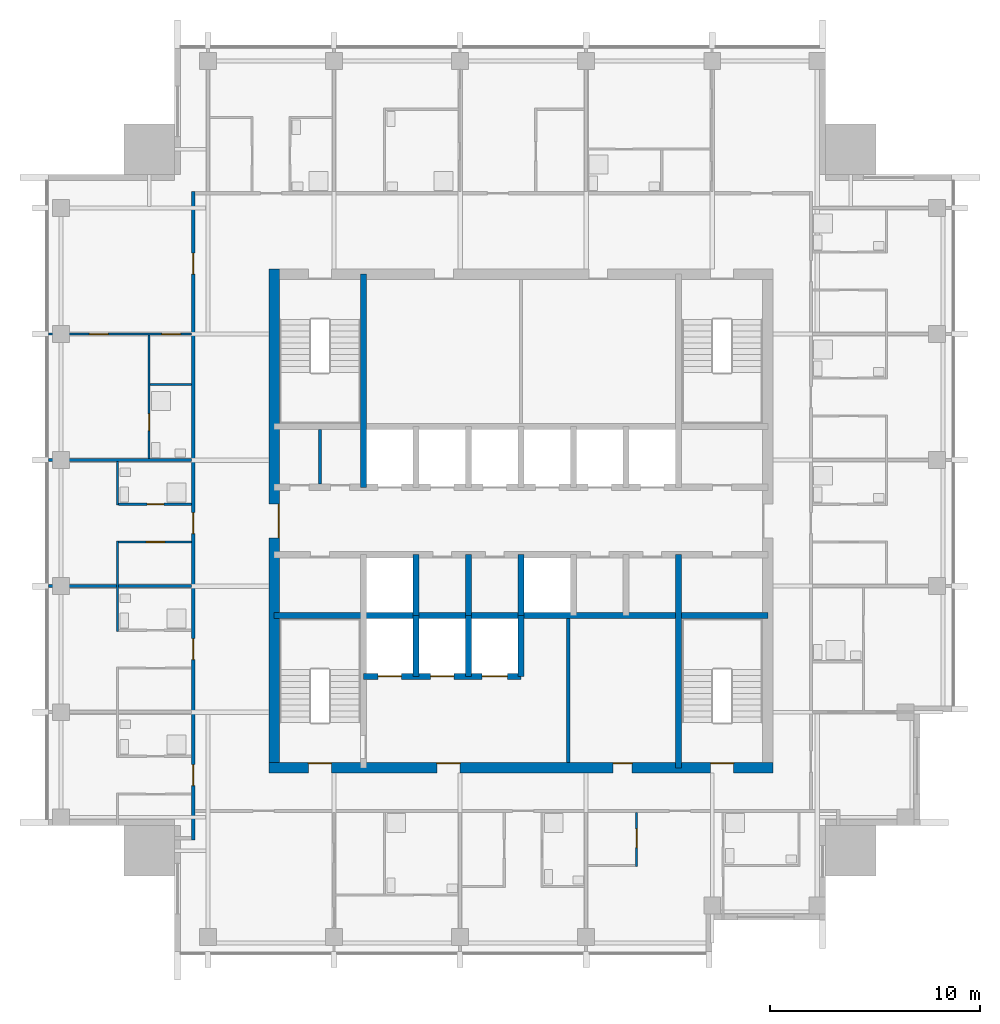
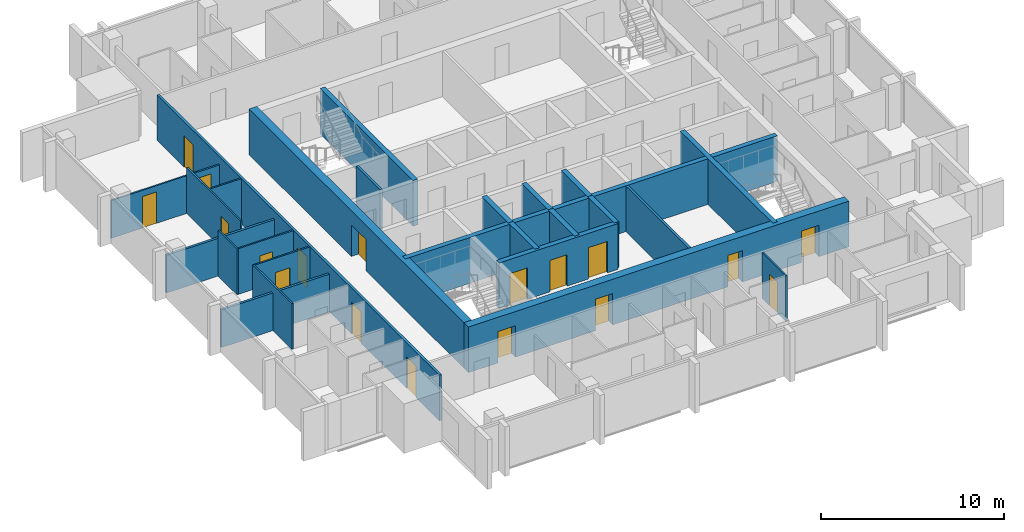
# One storey, part 4 of 9: 25 walls, 18 doors, 18 openings.
"""IFC4 building model written with IfcOpenShell, lengths in metres."""

from ifc_helpers import new_model, si_unit, direction, frame, frame_2d, origin, place, context, subcontext, project, spatial, rectangle, extrude, material, layer, layer_set, type_object, element, fill, save


model = new_model("IFC4")

# Units and contexts
model_context = context("Model", 3, precision=1e-05, world=origin(), true_north=direction((0.0, 1.0)))
body_context = subcontext(model_context, "Body", "Model", "MODEL_VIEW")
ifc_project = project(units=[si_unit("LENGTHUNIT", "METRE"), si_unit("AREAUNIT", "SQUARE_METRE"), si_unit("VOLUMEUNIT", "CUBIC_METRE"), si_unit("PLANEANGLEUNIT", "RADIAN"), si_unit("MASSUNIT", "GRAM", prefix="KILO")], contexts=[model_context])

# Site, building, storey
site_placement = place(None, origin())
site = spatial("IfcSite", under=ifc_project, at=site_placement, CompositionType="ELEMENT")
building_placement = place(site_placement, origin())
building = spatial("IfcBuilding", under=site, at=building_placement, Name="Amberfall Residences", CompositionType="ELEMENT")
storey_placement = place(building_placement, frame((0.0, 0.0, 242.199951171875)))
storey = spatial("IfcBuildingStorey", under=building, at=storey_placement, Name="L64", CompositionType="ELEMENT", Elevation=242.199951171875)

# Walls
ifc_material_1 = material(Name="Concrete C50", Category="concrete")
ifc_layer_1 = layer(ifc_material_1, 0.300048828125)
ifc_layer_set_1 = layer_set([ifc_layer_1], Name="Core wall 300 C50")
wall_type_1 = type_object("IfcWallType", Name="Core wall 300 C50", PredefinedType="SHEAR", material=ifc_layer_set_1)
wall_1_placement = place(storey_placement, frame((62.75, 41.0, 0.0), z_axis=(0.0, 0.0, 1.0), x_axis=(1.0, 0.0, 0.0)))
element("IfcWall", 1, at=wall_1_placement, inside=storey, type_object=wall_type_1, Name="Core wall RW10 L64 H75", PredefinedType="SHEAR", context=body_context, shape_type="SweptSolid", body=[
    extrude(rectangle(XDim=23.5, YDim=0.300048828125, at=frame_2d((11.75, 0.0))), origin(), (0.0, 0.0, 1.0), 3.050048828125),
])
for number, where, z_axis, x_axis, name in (
    (2, (67.0, 47.10009765625, 0.0), (0.0, 0.0, 1.0), (0.0, 1.0, 0.0), "Core wall RW10 L64 V45N"),
    (3, (82.0, 33.75, 0.0), (0.0, 0.0, 1.0), (0.0, 1.0, 0.0), "Core wall RW10 L64 V195S"),
):
    element("IfcWall", number, at=place(storey_placement, frame(where, z_axis=z_axis, x_axis=x_axis)), inside=storey, type_object=wall_type_1, Name=name, PredefinedType="SHEAR", context=body_context, shape_type="SweptSolid", body=[
        extrude(rectangle(XDim=10.14990234375, YDim=0.300048828125, at=frame_2d((5.074951171875, 0.0))), origin(), (0.0, 0.0, 1.0), 3.050048828125),
    ])
for number, where, z_axis, x_axis, name in (
    (4, (69.5, 41.0, 0.0), (0.0, 0.0, 1.0), (0.0, 1.0, 0.0), "Core wall RW10 L64 LPD1"),
    (5, (72.0, 41.0, 0.0), (0.0, 0.0, 1.0), (0.0, 1.0, 0.0), "Core wall RW10 L64 LPD2"),
    (6, (74.5, 41.0, 0.0), (0.0, 0.0, 1.0), (0.0, 1.0, 0.0), "Core wall RW10 L64 LPD3"),
):
    element("IfcWall", number, at=place(storey_placement, frame(where, z_axis=z_axis, x_axis=x_axis)), inside=storey, type_object=wall_type_1, Name=name, PredefinedType="SHEAR", context=body_context, shape_type="SweptSolid", body=[
        extrude(rectangle(XDim=2.89990234375, YDim=0.300048828125, at=frame_2d((1.449951171875, 0.0))), origin(), (0.0, 0.0, 1.0), 3.050048828125),
    ])

# Wall, openings, doors
wall_2_placement = place(storey_placement, frame((67.0, 38.10009765625, 0.0), z_axis=(0.0, 0.0, 1.0), x_axis=(1.0, 0.0, 0.0)))
wall_2 = element("IfcWall", 7, at=wall_2_placement, inside=storey, type_object=wall_type_1, Name="Core wall RW10 L64 FFF", PredefinedType="SHEAR", context=body_context, shape_type="SweptSolid", body=[
    extrude(rectangle(XDim=7.5, YDim=0.300048828125, at=frame_2d((3.75, 0.0))), origin(), (0.0, 0.0, 1.0), 3.050048828125),
])
opening_1_placement = place(wall_2_placement, frame((0.699951171875, 0.0, 0.0)))
opening_1 = element("IfcOpeningElement", 8, at=opening_1_placement, cuts=wall_2, Name="Opening LD2", PredefinedType="OPENING", context=body_context, shape_type="SweptSolid", body=[
    extrude(rectangle(XDim=1.10009765625, YDim=2.10009765625, at=frame_2d((0.550048828125, 1.050048828125))), frame((0.0, 0.159912109375, 0.0), z_axis=(0.0, -1.0, 0.0), x_axis=(1.0, 0.0, 0.0)), (0.0, 0.0, 1.0), 0.320068359375),
])
opening_2_placement = place(wall_2_placement, frame((3.199951171875, 0.0, 0.0)))
opening_2 = element("IfcOpeningElement", 9, at=opening_2_placement, cuts=wall_2, Name="Opening LD2", PredefinedType="OPENING", context=body_context, shape_type="SweptSolid", body=[
    extrude(rectangle(XDim=1.10009765625, YDim=2.10009765625, at=frame_2d((0.550048828125, 1.050048828125))), frame((0.0, 0.159912109375, 0.0), z_axis=(0.0, -1.0, 0.0), x_axis=(1.0, 0.0, 0.0)), (0.0, 0.0, 1.0), 0.320068359375),
])
opening_3_placement = place(wall_2_placement, frame((5.64990234375, 0.0, 0.0)))
opening_3 = element("IfcOpeningElement", 10, at=opening_3_placement, cuts=wall_2, Name="Opening LD3", PredefinedType="OPENING", context=body_context, shape_type="SweptSolid", body=[
    extrude(rectangle(XDim=1.199951171875, YDim=2.10009765625, at=frame_2d((0.60009765625, 1.050048828125))), frame((0.0, 0.159912109375, 0.0), z_axis=(0.0, -1.0, 0.0), x_axis=(1.0, 0.0, 0.0)), (0.0, 0.0, 1.0), 0.320068359375),
])
ifc_material_2 = material(Name="Steel fire door set", Category="steel")
door_type_1 = type_object("IfcDoorType", Name="Firefighting lift landing door 1100 x 2100", OperationType="DOUBLE_DOOR_SLIDING", PredefinedType="DOOR", material=ifc_material_2)
door_1_placement = place(opening_1_placement, origin())
door_1 = element("IfcDoor", 11, at=door_1_placement, inside=storey, type_object=door_type_1, Name="Landing door FF1 L64", OperationType="DOUBLE_DOOR_SLIDING", OverallHeight=2.10009765625, OverallWidth=1.10009765625, PredefinedType="DOOR", context=body_context, shape_type="SweptSolid", body=[
    extrude(rectangle(XDim=1.10009765625, YDim=2.10009765625, at=frame_2d((0.550048828125, 1.050048828125))), frame((0.0, 0.02490234375, 0.0), z_axis=(0.0, -1.0, 0.0), x_axis=(1.0, 0.0, 0.0)), (0.0, 0.0, 1.0), 0.050048828125),
])
fill(opening_1, door_1)
door_2_placement = place(opening_2_placement, origin())
door_2 = element("IfcDoor", 12, at=door_2_placement, inside=storey, type_object=door_type_1, Name="Landing door FF2 L64", OperationType="DOUBLE_DOOR_SLIDING", OverallHeight=2.10009765625, OverallWidth=1.10009765625, PredefinedType="DOOR", context=body_context, shape_type="SweptSolid", body=[
    extrude(rectangle(XDim=1.10009765625, YDim=2.10009765625, at=frame_2d((0.550048828125, 1.050048828125))), frame((0.0, 0.02490234375, 0.0), z_axis=(0.0, -1.0, 0.0), x_axis=(1.0, 0.0, 0.0)), (0.0, 0.0, 1.0), 0.050048828125),
])
fill(opening_2, door_2)
door_type_2 = type_object("IfcDoorType", Name="Service lift landing door 1200 x 2100", OperationType="DOUBLE_DOOR_SLIDING", PredefinedType="DOOR", material=ifc_material_2)
door_3_placement = place(opening_3_placement, origin())
door_3 = element("IfcDoor", 13, at=door_3_placement, inside=storey, type_object=door_type_2, Name="Landing door SL1 L64", OperationType="DOUBLE_DOOR_SLIDING", OverallHeight=2.10009765625, OverallWidth=1.199951171875, PredefinedType="DOOR", context=body_context, shape_type="SweptSolid", body=[
    extrude(rectangle(XDim=1.199951171875, YDim=2.10009765625, at=frame_2d((0.60009765625, 1.050048828125))), frame((0.0, 0.02490234375, 0.0), z_axis=(0.0, -1.0, 0.0), x_axis=(1.0, 0.0, 0.0)), (0.0, 0.0, 1.0), 0.050048828125),
])
fill(opening_3, door_3)

# Walls
for number, where, z_axis, x_axis, name in (
    (14, (69.5, 38.10009765625, 0.0), (0.0, 0.0, 1.0), (0.0, 1.0, 0.0), "Core wall RW10 L64 FFD1"),
    (15, (72.0, 38.10009765625, 0.0), (0.0, 0.0, 1.0), (0.0, 1.0, 0.0), "Core wall RW10 L64 FFD2"),
    (16, (74.5, 38.10009765625, 0.0), (0.0, 0.0, 1.0), (0.0, 1.0, 0.0), "Core wall RW10 L64 FFD3"),
):
    element("IfcWall", number, at=place(storey_placement, frame(where, z_axis=z_axis, x_axis=x_axis)), inside=storey, type_object=wall_type_1, Name=name, PredefinedType="SHEAR", context=body_context, shape_type="SweptSolid", body=[
        extrude(rectangle(XDim=2.89990234375, YDim=0.300048828125, at=frame_2d((1.449951171875, 0.0))), origin(), (0.0, 0.0, 1.0), 3.050048828125),
    ])

# Wall, openings, doors
ifc_layer_2 = layer(ifc_material_1, 0.5)
ifc_layer_set_2 = layer_set([ifc_layer_2], Name="Core wall 500 C50")
wall_type_2 = type_object("IfcWallType", Name="Core wall 500 C50", PredefinedType="SHEAR", material=ifc_layer_set_2)
wall_3_placement = place(storey_placement, frame((62.5, 33.75, 0.0), z_axis=(0.0, 0.0, 1.0), x_axis=(1.0, 0.0, 0.0)))
wall_3 = element("IfcWall", 17, at=wall_3_placement, inside=storey, type_object=wall_type_2, Name="Core wall RW9 L64 OS", PredefinedType="SHEAR", context=body_context, shape_type="SweptSolid", body=[
    extrude(rectangle(XDim=24.0, YDim=0.5, at=frame_2d((12.0, 0.0))), origin(), (0.0, 0.0, 1.0), 3.050048828125),
])
opening_4_placement = place(wall_3_placement, frame((1.875, 0.0, 0.0)))
opening_4 = element("IfcOpeningElement", 18, at=opening_4_placement, cuts=wall_3, Name="Opening SD1", PredefinedType="OPENING", context=body_context, shape_type="SweptSolid", body=[
    extrude(rectangle(XDim=1.10009765625, YDim=2.10009765625, at=frame_2d((0.550048828125, 1.050048828125))), frame((0.0, 0.260009765625, 0.0), z_axis=(0.0, -1.0, 0.0), x_axis=(1.0, 0.0, 0.0)), (0.0, 0.0, 1.0), 0.52001953125),
])
opening_5_placement = place(wall_3_placement, frame((21.02490234375, 0.0, 0.0)))
opening_5 = element("IfcOpeningElement", 19, at=opening_5_placement, cuts=wall_3, Name="Opening SD1", PredefinedType="OPENING", context=body_context, shape_type="SweptSolid", body=[
    extrude(rectangle(XDim=1.10009765625, YDim=2.10009765625, at=frame_2d((0.550048828125, 1.050048828125))), frame((0.0, 0.260009765625, 0.0), z_axis=(0.0, -1.0, 0.0), x_axis=(1.0, 0.0, 0.0)), (0.0, 0.0, 1.0), 0.52001953125),
])
opening_6_placement = place(wall_3_placement, frame((8.0, 0.0, 0.0)))
opening_6 = element("IfcOpeningElement", 20, at=opening_6_placement, cuts=wall_3, Name="Opening FL1", PredefinedType="OPENING", context=body_context, shape_type="SweptSolid", body=[
    extrude(rectangle(XDim=1.10009765625, YDim=2.10009765625, at=frame_2d((0.550048828125, 1.050048828125))), frame((0.0, 0.260009765625, 0.0), z_axis=(0.0, -1.0, 0.0), x_axis=(1.0, 0.0, 0.0)), (0.0, 0.0, 1.0), 0.52001953125),
])
opening_7_placement = place(wall_3_placement, frame((16.387451171875, 0.0, 0.0)))
opening_7 = element("IfcOpeningElement", 21, at=opening_7_placement, cuts=wall_3, Name="Opening RD1", PredefinedType="OPENING", context=body_context, shape_type="SweptSolid", body=[
    extrude(rectangle(XDim=0.89990234375, YDim=2.10009765625, at=frame_2d((0.449951171875, 1.050048828125))), frame((0.0, 0.260009765625, 0.0), z_axis=(0.0, -1.0, 0.0), x_axis=(1.0, 0.0, 0.0)), (0.0, 0.0, 1.0), 0.52001953125),
])
door_type_3 = type_object("IfcDoorType", Name="Firefighting lobby door 1100 x 2100", OperationType="SINGLE_SWING_LEFT", PredefinedType="DOOR", material=ifc_material_2)
door_4_placement = place(opening_6_placement, origin())
door_4 = element("IfcDoor", 22, at=door_4_placement, inside=storey, type_object=door_type_3, Name="FL1 L64", OperationType="SINGLE_SWING_LEFT", OverallHeight=2.10009765625, OverallWidth=1.10009765625, PredefinedType="DOOR", context=body_context, shape_type="SweptSolid", body=[
    extrude(rectangle(XDim=1.10009765625, YDim=2.10009765625, at=frame_2d((0.550048828125, 1.050048828125))), frame((0.0, 0.2373046875, 0.0), z_axis=(0.0, -1.0, 0.0), x_axis=(1.0, 0.0, 0.0)), (0.0, 0.0, 1.0), 0.050048828125),
])
fill(opening_6, door_4)
door_type_4 = type_object("IfcDoorType", Name="Service room door 900 x 2100", OperationType="SINGLE_SWING_LEFT", PredefinedType="DOOR", material=ifc_material_2)
door_5_placement = place(opening_7_placement, origin())
door_5 = element("IfcDoor", 23, at=door_5_placement, inside=storey, type_object=door_type_4, Name="RD1 L64", OperationType="SINGLE_SWING_LEFT", OverallHeight=2.10009765625, OverallWidth=0.89990234375, PredefinedType="DOOR", context=body_context, shape_type="SweptSolid", body=[
    extrude(rectangle(XDim=0.89990234375, YDim=2.10009765625, at=frame_2d((0.449951171875, 1.050048828125))), frame((0.0, 0.2373046875, 0.0), z_axis=(0.0, -1.0, 0.0), x_axis=(1.0, 0.0, 0.0)), (0.0, 0.0, 1.0), 0.050048828125),
])
fill(opening_7, door_5)
door_type_5 = type_object("IfcDoorType", Name="Stair door 1100 x 2100", OperationType="SINGLE_SWING_LEFT", PredefinedType="DOOR", material=ifc_material_2)
door_6_placement = place(opening_4_placement, origin())
door_6 = element("IfcDoor", 24, at=door_6_placement, inside=storey, type_object=door_type_5, Name="SD1 L64", OperationType="SINGLE_SWING_LEFT", OverallHeight=2.10009765625, OverallWidth=1.10009765625, PredefinedType="DOOR", context=body_context, shape_type="SweptSolid", body=[
    extrude(rectangle(XDim=1.10009765625, YDim=2.10009765625, at=frame_2d((0.550048828125, 1.050048828125))), frame((0.0, 0.2373046875, 0.0), z_axis=(0.0, -1.0, 0.0), x_axis=(1.0, 0.0, 0.0)), (0.0, 0.0, 1.0), 0.050048828125),
])
fill(opening_4, door_6)
door_7_placement = place(opening_5_placement, origin())
door_7 = element("IfcDoor", 25, at=door_7_placement, inside=storey, type_object=door_type_5, Name="SD1 L64", OperationType="SINGLE_SWING_RIGHT", OverallHeight=2.10009765625, OverallWidth=1.10009765625, PredefinedType="DOOR", context=body_context, shape_type="SweptSolid", body=[
    extrude(rectangle(XDim=1.10009765625, YDim=2.10009765625, at=frame_2d((0.550048828125, 1.050048828125))), frame((0.0, 0.2373046875, 0.0), z_axis=(0.0, -1.0, 0.0), x_axis=(1.0, 0.0, 0.0)), (0.0, 0.0, 1.0), 0.050048828125),
])
fill(opening_5, door_7)

# Wall, opening, door
wall_4_placement = place(storey_placement, frame((62.75, 33.5, 0.0), z_axis=(0.0, 0.0, 1.0), x_axis=(0.0, 1.0, 0.0)))
wall_4 = element("IfcWall", 26, at=wall_4_placement, inside=storey, type_object=wall_type_2, Name="Core wall RW9 L64 OW", PredefinedType="SHEAR", context=body_context, shape_type="SweptSolid", body=[
    extrude(rectangle(XDim=24.0, YDim=0.5, at=frame_2d((12.0, 0.0))), origin(), (0.0, 0.0, 1.0), 3.050048828125),
])
opening_8_placement = place(wall_4_placement, frame((11.199951171875, 0.0, 0.0)))
opening_8 = element("IfcOpeningElement", 27, at=opening_8_placement, cuts=wall_4, Name="Opening LB1", PredefinedType="OPENING", context=body_context, shape_type="SweptSolid", body=[
    extrude(rectangle(XDim=1.60009765625, YDim=2.10009765625, at=frame_2d((0.800048828125, 1.050048828125))), frame((0.0, 0.260009765625, 0.0), z_axis=(0.0, -1.0, 0.0), x_axis=(1.0, 0.0, 0.0)), (0.0, 0.0, 1.0), 0.52001953125),
])
door_type_6 = type_object("IfcDoorType", Name="Lift lobby double door 1600 x 2100", OperationType="DOUBLE_DOOR_SINGLE_SWING", PredefinedType="DOOR", material=ifc_material_2)
door_8_placement = place(opening_8_placement, origin())
door_8 = element("IfcDoor", 28, at=door_8_placement, inside=storey, type_object=door_type_6, Name="LB1 L64", OperationType="DOUBLE_DOOR_SINGLE_SWING", OverallHeight=2.10009765625, OverallWidth=1.60009765625, PredefinedType="DOOR", context=body_context, shape_type="SweptSolid", body=[
    extrude(rectangle(XDim=1.60009765625, YDim=2.10009765625, at=frame_2d((0.800048828125, 1.050048828125))), frame((0.0, -0.1875, 0.0), z_axis=(0.0, -1.0, 0.0), x_axis=(1.0, 0.0, 0.0)), (0.0, 0.0, 1.0), 0.050048828125),
])
fill(opening_8, door_8)

# Walls
ifc_material_3 = material(Name="Gypsum board on metal stud")
ifc_layer_3 = layer(ifc_material_3, 0.10009765625)
ifc_layer_set_3 = layer_set([ifc_layer_3], Name="Flat partition 100")
wall_type_3 = type_object("IfcWallType", Name="Flat partition 100", PredefinedType="PARTITIONING", material=ifc_layer_set_3)
wall_5_placement = place(storey_placement, frame((55.300048828125, 40.25, 0.0), z_axis=(0.0, 0.0, 1.0), x_axis=(0.0, 1.0, 0.0)))
element("IfcWall", 29, at=wall_5_placement, inside=storey, type_object=wall_type_3, Name="Partition 003", PredefinedType="PARTITIONING", context=body_context, shape_type="SweptSolid", body=[
    extrude(rectangle(XDim=4.300048828125, YDim=0.10009765625, at=frame_2d((2.14990234375, 0.0))), origin(), (0.0, 0.0, 1.0), 3.050048828125),
])
wall_6_placement = place(storey_placement, frame((55.300048828125, 46.25, 0.0), z_axis=(0.0, 0.0, 1.0), x_axis=(0.0, 1.0, 0.0)))
element("IfcWall", 30, at=wall_6_placement, inside=storey, type_object=wall_type_3, Name="Partition 004", PredefinedType="PARTITIONING", context=body_context, shape_type="SweptSolid", body=[
    extrude(rectangle(XDim=2.074951171875, YDim=0.10009765625, at=frame_2d((1.03759765625, 0.0))), origin(), (0.0, 0.0, 1.0), 3.050048828125),
])

# Wall, opening, door
wall_7_placement = place(storey_placement, frame((56.800048828125, 54.35009765625, 0.0), z_axis=(0.0, 0.0, 1.0), x_axis=(0.0, -1.0, 0.0)))
wall_7 = element("IfcWall", 31, at=wall_7_placement, inside=storey, type_object=wall_type_3, Name="Partition 005", PredefinedType="PARTITIONING", context=body_context, shape_type="SweptSolid", body=[
    extrude(rectangle(XDim=5.875, YDim=0.10009765625, at=frame_2d((2.9375, 0.0))), origin(), (0.0, 0.0, 1.0), 3.050048828125),
])
opening_9_placement = place(wall_7_placement, frame((3.75, 0.0, 0.0)))
opening_9 = element("IfcOpeningElement", 32, at=opening_9_placement, cuts=wall_7, Name="Opening D42", PredefinedType="OPENING", context=body_context, shape_type="SweptSolid", body=[
    extrude(rectangle(XDim=0.800048828125, YDim=2.10009765625, at=frame_2d((0.39990234375, 1.050048828125))), frame((0.0, 0.06005859375, 0.0), z_axis=(0.0, -1.0, 0.0), x_axis=(1.0, 0.0, 0.0)), (0.0, 0.0, 1.0), 0.1201171875),
])
ifc_material_4 = material(Name="Timber", Category="wood")
door_type_7 = type_object("IfcDoorType", Name="Bathroom door 800 x 2100", OperationType="SINGLE_SWING_LEFT", PredefinedType="DOOR", material=ifc_material_4)
door_9_placement = place(opening_9_placement, origin())
door_9 = element("IfcDoor", 33, at=door_9_placement, inside=storey, type_object=door_type_7, Name="Door 6414 bath1", OperationType="SINGLE_SWING_LEFT", OverallHeight=2.10009765625, OverallWidth=0.800048828125, PredefinedType="DOOR", context=body_context, shape_type="SweptSolid", body=[
    extrude(rectangle(XDim=0.800048828125, YDim=2.10009765625, at=frame_2d((0.39990234375, 1.050048828125))), frame((0.0, 0.02490234375, 0.0), z_axis=(0.0, -1.0, 0.0), x_axis=(1.0, 0.0, 0.0)), (0.0, 0.0, 1.0), 0.050048828125),
])
fill(opening_9, door_9)

wall_8_placement = place(storey_placement, frame((80.0, 29.050048828125, 0.0), z_axis=(0.0, 0.0, 1.0), x_axis=(0.0, 1.0, 0.0)))
wall_8 = element("IfcWall", 34, at=wall_8_placement, inside=storey, type_object=wall_type_3, Name="Partition 015", PredefinedType="PARTITIONING", context=body_context, shape_type="SweptSolid", body=[
    extrude(rectangle(XDim=2.574951171875, YDim=0.10009765625, at=frame_2d((1.28759765625, 0.0))), origin(), (0.0, 0.0, 1.0), 3.050048828125),
])
opening_10_placement = place(wall_8_placement, frame((0.89990234375, 0.0, 0.0)))
opening_10 = element("IfcOpeningElement", 35, at=opening_10_placement, cuts=wall_8, Name="Opening D41", PredefinedType="OPENING", context=body_context, shape_type="SweptSolid", body=[
    extrude(rectangle(XDim=0.89990234375, YDim=2.10009765625, at=frame_2d((0.449951171875, 1.050048828125))), frame((0.0, 0.06005859375, 0.0), z_axis=(0.0, -1.0, 0.0), x_axis=(1.0, 0.0, 0.0)), (0.0, 0.0, 1.0), 0.1201171875),
])
door_type_8 = type_object("IfcDoorType", Name="Internal door 900 x 2100", OperationType="SINGLE_SWING_LEFT", PredefinedType="DOOR", material=ifc_material_4)
door_10_placement = place(opening_10_placement, origin())
door_10 = element("IfcDoor", 36, at=door_10_placement, inside=storey, type_object=door_type_8, Name="Door 6403 kitchen", OperationType="SINGLE_SWING_LEFT", OverallHeight=2.10009765625, OverallWidth=0.89990234375, PredefinedType="DOOR", context=body_context, shape_type="SweptSolid", body=[
    extrude(rectangle(XDim=0.89990234375, YDim=2.10009765625, at=frame_2d((0.449951171875, 1.050048828125))), frame((0.0, 0.02490234375, 0.0), z_axis=(0.0, -1.0, 0.0), x_axis=(1.0, 0.0, 0.0)), (0.0, 0.0, 1.0), 0.050048828125),
])
fill(opening_10, door_10)

# Wall, openings, doors
wall_9_placement = place(storey_placement, frame((58.824951171875, 54.39990234375, 0.0), z_axis=(0.0, 0.0, 1.0), x_axis=(-1.0, 0.0, 0.0)))
wall_9 = element("IfcWall", 37, at=wall_9_placement, inside=storey, type_object=wall_type_3, Name="Partition 032", PredefinedType="PARTITIONING", context=body_context, shape_type="SweptSolid", body=[
    extrude(rectangle(XDim=6.824951171875, YDim=0.10009765625, at=frame_2d((3.41259765625, 0.0))), origin(), (0.0, 0.0, 1.0), 2.51611328125),
])
opening_11_placement = place(wall_9_placement, frame((0.52490234375, 0.0, 0.0)))
opening_11 = element("IfcOpeningElement", 38, at=opening_11_placement, cuts=wall_9, Name="Opening D41", PredefinedType="OPENING", context=body_context, shape_type="SweptSolid", body=[
    extrude(rectangle(XDim=0.89990234375, YDim=2.10009765625, at=frame_2d((0.449951171875, 1.050048828125))), frame((0.0, 0.06005859375, 0.0), z_axis=(0.0, -1.0, 0.0), x_axis=(1.0, 0.0, 0.0)), (0.0, 0.0, 1.0), 0.1201171875),
])
opening_12_placement = place(wall_9_placement, frame((3.97509765625, 0.0, 0.0)))
opening_12 = element("IfcOpeningElement", 39, at=opening_12_placement, cuts=wall_9, Name="Opening D41", PredefinedType="OPENING", context=body_context, shape_type="SweptSolid", body=[
    extrude(rectangle(XDim=0.89990234375, YDim=2.10009765625, at=frame_2d((0.449951171875, 1.050048828125))), frame((0.0, 0.06005859375, 0.0), z_axis=(0.0, -1.0, 0.0), x_axis=(1.0, 0.0, 0.0)), (0.0, 0.0, 1.0), 0.1201171875),
])
door_11_placement = place(opening_11_placement, origin())
door_11 = element("IfcDoor", 40, at=door_11_placement, inside=storey, type_object=door_type_8, Name="Door 6414 kitchen", OperationType="SINGLE_SWING_LEFT", OverallHeight=2.10009765625, OverallWidth=0.89990234375, PredefinedType="DOOR", context=body_context, shape_type="SweptSolid", body=[
    extrude(rectangle(XDim=0.89990234375, YDim=2.10009765625, at=frame_2d((0.449951171875, 1.050048828125))), frame((0.0, 0.02490234375, 0.0), z_axis=(0.0, -1.0, 0.0), x_axis=(1.0, 0.0, 0.0)), (0.0, 0.0, 1.0), 0.050048828125),
])
fill(opening_11, door_11)
door_12_placement = place(opening_12_placement, origin())
door_12 = element("IfcDoor", 41, at=door_12_placement, inside=storey, type_object=door_type_8, Name="Door 6414 bedroom1", OperationType="SINGLE_SWING_LEFT", OverallHeight=2.10009765625, OverallWidth=0.89990234375, PredefinedType="DOOR", context=body_context, shape_type="SweptSolid", body=[
    extrude(rectangle(XDim=0.89990234375, YDim=2.10009765625, at=frame_2d((0.449951171875, 1.050048828125))), frame((0.0, 0.02490234375, 0.0), z_axis=(0.0, -1.0, 0.0), x_axis=(1.0, 0.0, 0.0)), (0.0, 0.0, 1.0), 0.050048828125),
])
fill(opening_12, door_12)

# Wall
wall_10_placement = place(storey_placement, frame((56.85009765625, 52.0, 0.0), z_axis=(0.0, 0.0, 1.0), x_axis=(1.0, 0.0, 0.0)))
element("IfcWall", 42, at=wall_10_placement, inside=storey, type_object=wall_type_3, Name="Partition 034", PredefinedType="PARTITIONING", context=body_context, shape_type="SweptSolid", body=[
    extrude(rectangle(XDim=1.974853515625, YDim=0.10009765625, at=frame_2d((0.9873046875, 0.0))), origin(), (0.0, 0.0, 1.0), 3.050048828125),
])

# Wall, opening, door
wall_11_placement = place(storey_placement, frame((55.35009765625, 46.300048828125, 0.0), z_axis=(0.0, 0.0, 1.0), x_axis=(1.0, 0.0, 0.0)))
wall_11 = element("IfcWall", 43, at=wall_11_placement, inside=storey, type_object=wall_type_3, Name="Partition 036", PredefinedType="PARTITIONING", context=body_context, shape_type="SweptSolid", body=[
    extrude(rectangle(XDim=3.474853515625, YDim=0.10009765625, at=frame_2d((1.7373046875, 0.0))), origin(), (0.0, 0.0, 1.0), 3.050048828125),
])
opening_13_placement = place(wall_11_placement, frame((1.35009765625, 0.0, 0.0)))
opening_13 = element("IfcOpeningElement", 44, at=opening_13_placement, cuts=wall_11, Name="Opening D42", PredefinedType="OPENING", context=body_context, shape_type="SweptSolid", body=[
    extrude(rectangle(XDim=0.800048828125, YDim=2.10009765625, at=frame_2d((0.39990234375, 1.050048828125))), frame((0.0, 0.06005859375, 0.0), z_axis=(0.0, -1.0, 0.0), x_axis=(1.0, 0.0, 0.0)), (0.0, 0.0, 1.0), 0.1201171875),
])
door_13_placement = place(opening_13_placement, origin())
door_13 = element("IfcDoor", 45, at=door_13_placement, inside=storey, type_object=door_type_7, Name="Door 6413 bath1", OperationType="SINGLE_SWING_LEFT", OverallHeight=2.10009765625, OverallWidth=0.800048828125, PredefinedType="DOOR", context=body_context, shape_type="SweptSolid", body=[
    extrude(rectangle(XDim=0.800048828125, YDim=2.10009765625, at=frame_2d((0.39990234375, 1.050048828125))), frame((0.0, 0.02490234375, 0.0), z_axis=(0.0, -1.0, 0.0), x_axis=(1.0, 0.0, 0.0)), (0.0, 0.0, 1.0), 0.050048828125),
])
fill(opening_13, door_13)

wall_12_placement = place(storey_placement, frame((58.824951171875, 44.5, 0.0), z_axis=(0.0, 0.0, 1.0), x_axis=(-1.0, 0.0, 0.0)))
wall_12 = element("IfcWall", 46, at=wall_12_placement, inside=storey, type_object=wall_type_3, Name="Partition 038", PredefinedType="PARTITIONING", context=body_context, shape_type="SweptSolid", body=[
    extrude(rectangle(XDim=3.474853515625, YDim=0.10009765625, at=frame_2d((1.7373046875, 0.0))), origin(), (0.0, 0.0, 1.0), 3.050048828125),
])
opening_14_placement = place(wall_12_placement, frame((1.27490234375, 0.0, 0.0)))
opening_14 = element("IfcOpeningElement", 47, at=opening_14_placement, cuts=wall_12, Name="Opening D41", PredefinedType="OPENING", context=body_context, shape_type="SweptSolid", body=[
    extrude(rectangle(XDim=0.89990234375, YDim=2.10009765625, at=frame_2d((0.449951171875, 1.050048828125))), frame((0.0, 0.06005859375, 0.0), z_axis=(0.0, -1.0, 0.0), x_axis=(1.0, 0.0, 0.0)), (0.0, 0.0, 1.0), 0.1201171875),
])
door_14_placement = place(opening_14_placement, origin())
door_14 = element("IfcDoor", 48, at=door_14_placement, inside=storey, type_object=door_type_8, Name="Door 6413 kitchen", OperationType="SINGLE_SWING_LEFT", OverallHeight=2.10009765625, OverallWidth=0.89990234375, PredefinedType="DOOR", context=body_context, shape_type="SweptSolid", body=[
    extrude(rectangle(XDim=0.89990234375, YDim=2.10009765625, at=frame_2d((0.449951171875, 1.050048828125))), frame((0.0, 0.02490234375, 0.0), z_axis=(0.0, -1.0, 0.0), x_axis=(1.0, 0.0, 0.0)), (0.0, 0.0, 1.0), 0.050048828125),
])
fill(opening_14, door_14)

# Wall, openings, doors
ifc_material_5 = material(Name="Blockwork, plastered", Category="masonry")
ifc_layer_4 = layer(ifc_material_5, 0.14990234375)
ifc_layer_set_4 = layer_set([ifc_layer_4], Name="Flat separating wall 150")
wall_type_4 = type_object("IfcWallType", Name="Flat separating wall 150", PredefinedType="PARTITIONING", material=ifc_layer_set_4)
wall_13_placement = place(storey_placement, frame((58.89990234375, 30.324951171875, 0.0), z_axis=(0.0, 0.0, 1.0), x_axis=(0.0, 1.0, 0.0)))
wall_13 = element("IfcWall", 49, at=wall_13_placement, inside=storey, type_object=wall_type_4, Name="Separating wall 051", PredefinedType="PARTITIONING", context=body_context, shape_type="SweptSolid", body=[
    extrude(rectangle(XDim=30.85009765625, YDim=0.14990234375, at=frame_2d((15.425048828125, 0.0))), origin(), (0.0, 0.0, 1.0), 3.050048828125),
])
opening_15_placement = place(wall_13_placement, frame((2.574951171875, 0.0, 0.0)))
opening_15 = element("IfcOpeningElement", 50, at=opening_15_placement, cuts=wall_13, Name="Opening D40", PredefinedType="OPENING", context=body_context, shape_type="SweptSolid", body=[
    extrude(rectangle(XDim=1.0, YDim=2.10009765625, at=frame_2d((0.5, 1.050048828125))), frame((0.0, 0.0849609375, 0.0), z_axis=(0.0, -1.0, 0.0), x_axis=(1.0, 0.0, 0.0)), (0.0, 0.0, 1.0), 0.169921875),
])
opening_16_placement = place(wall_13_placement, frame((8.574951171875, 0.0, 0.0)))
opening_16 = element("IfcOpeningElement", 51, at=opening_16_placement, cuts=wall_13, Name="Opening D40", PredefinedType="OPENING", context=body_context, shape_type="SweptSolid", body=[
    extrude(rectangle(XDim=1.0, YDim=2.10009765625, at=frame_2d((0.5, 1.050048828125))), frame((0.0, 0.0849609375, 0.0), z_axis=(0.0, -1.0, 0.0), x_axis=(1.0, 0.0, 0.0)), (0.0, 0.0, 1.0), 0.169921875),
])
opening_17_placement = place(wall_13_placement, frame((14.574951171875, 0.0, 0.0)))
opening_17 = element("IfcOpeningElement", 52, at=opening_17_placement, cuts=wall_13, Name="Opening D40", PredefinedType="OPENING", context=body_context, shape_type="SweptSolid", body=[
    extrude(rectangle(XDim=1.0, YDim=2.10009765625, at=frame_2d((0.5, 1.050048828125))), frame((0.0, 0.0849609375, 0.0), z_axis=(0.0, -1.0, 0.0), x_axis=(1.0, 0.0, 0.0)), (0.0, 0.0, 1.0), 0.169921875),
])
opening_18_placement = place(wall_13_placement, frame((26.925048828125, 0.0, 0.0)))
opening_18 = element("IfcOpeningElement", 53, at=opening_18_placement, cuts=wall_13, Name="Opening D40", PredefinedType="OPENING", context=body_context, shape_type="SweptSolid", body=[
    extrude(rectangle(XDim=1.0, YDim=2.10009765625, at=frame_2d((0.5, 1.050048828125))), frame((0.0, 0.0849609375, 0.0), z_axis=(0.0, -1.0, 0.0), x_axis=(1.0, 0.0, 0.0)), (0.0, 0.0, 1.0), 0.169921875),
])
ifc_material_6 = material(Name="Timber, fire-rated", Category="wood")
door_type_9 = type_object("IfcDoorType", Name="Flat entrance door FD60 1000 x 2100", OperationType="SINGLE_SWING_LEFT", PredefinedType="DOOR", material=ifc_material_6)
door_15_placement = place(opening_15_placement, origin())
door_15 = element("IfcDoor", 54, at=door_15_placement, inside=storey, type_object=door_type_9, Name="Door 6411 entrance", OperationType="SINGLE_SWING_LEFT", OverallHeight=2.10009765625, OverallWidth=1.0, PredefinedType="DOOR", context=body_context, shape_type="SweptSolid", body=[
    extrude(rectangle(XDim=1.0, YDim=2.10009765625, at=frame_2d((0.5, 1.050048828125))), frame((0.0, 0.02490234375, 0.0), z_axis=(0.0, -1.0, 0.0), x_axis=(1.0, 0.0, 0.0)), (0.0, 0.0, 1.0), 0.050048828125),
])
fill(opening_15, door_15)
door_16_placement = place(opening_16_placement, origin())
door_16 = element("IfcDoor", 55, at=door_16_placement, inside=storey, type_object=door_type_9, Name="Door 6412 entrance", OperationType="SINGLE_SWING_LEFT", OverallHeight=2.10009765625, OverallWidth=1.0, PredefinedType="DOOR", context=body_context, shape_type="SweptSolid", body=[
    extrude(rectangle(XDim=1.0, YDim=2.10009765625, at=frame_2d((0.5, 1.050048828125))), frame((0.0, 0.02490234375, 0.0), z_axis=(0.0, -1.0, 0.0), x_axis=(1.0, 0.0, 0.0)), (0.0, 0.0, 1.0), 0.050048828125),
])
fill(opening_16, door_16)
door_17_placement = place(opening_17_placement, origin())
door_17 = element("IfcDoor", 56, at=door_17_placement, inside=storey, type_object=door_type_9, Name="Door 6413 entrance", OperationType="SINGLE_SWING_LEFT", OverallHeight=2.10009765625, OverallWidth=1.0, PredefinedType="DOOR", context=body_context, shape_type="SweptSolid", body=[
    extrude(rectangle(XDim=1.0, YDim=2.10009765625, at=frame_2d((0.5, 1.050048828125))), frame((0.0, 0.02490234375, 0.0), z_axis=(0.0, -1.0, 0.0), x_axis=(1.0, 0.0, 0.0)), (0.0, 0.0, 1.0), 0.050048828125),
])
fill(opening_17, door_17)
door_18_placement = place(opening_18_placement, origin())
door_18 = element("IfcDoor", 57, at=door_18_placement, inside=storey, type_object=door_type_9, Name="Door 6414 entrance", OperationType="SINGLE_SWING_LEFT", OverallHeight=2.10009765625, OverallWidth=1.0, PredefinedType="DOOR", context=body_context, shape_type="SweptSolid", body=[
    extrude(rectangle(XDim=1.0, YDim=2.10009765625, at=frame_2d((0.5, 1.050048828125))), frame((0.0, 0.02490234375, 0.0), z_axis=(0.0, -1.0, 0.0), x_axis=(1.0, 0.0, 0.0)), (0.0, 0.0, 1.0), 0.050048828125),
])
fill(opening_18, door_18)

# Walls
for number, where, z_axis, x_axis, name in (
    (58, (52.0, 48.39990234375, 0.0), (0.0, 0.0, 1.0), (1.0, 0.0, 0.0), "Separating wall 062"),
    (59, (52.0, 42.39990234375, 0.0), (0.0, 0.0, 1.0), (1.0, 0.0, 0.0), "Separating wall 064"),
):
    element("IfcWall", number, at=place(storey_placement, frame(where, z_axis=z_axis, x_axis=x_axis)), inside=storey, type_object=wall_type_4, Name=name, PredefinedType="PARTITIONING", context=body_context, shape_type="SweptSolid", body=[
        extrude(rectangle(XDim=6.824951171875, YDim=0.14990234375, at=frame_2d((3.41259765625, 0.0))), origin(), (0.0, 0.0, 1.0), 2.51611328125),
    ])
ifc_material_7 = material(Name="Concrete blockwork", Category="masonry")
ifc_layer_5 = layer(ifc_material_7, 0.14990234375)
ifc_layer_set_5 = layer_set([ifc_layer_5], Name="Riser wall 150")
wall_type_5 = type_object("IfcWallType", Name="Riser wall 150", PredefinedType="PLUMBINGWALL", material=ifc_layer_set_5)
wall_14_placement = place(storey_placement, frame((76.75, 34.0, 0.0), z_axis=(0.0, 0.0, 1.0), x_axis=(0.0, 1.0, 0.0)))
element("IfcWall", 60, at=wall_14_placement, inside=storey, type_object=wall_type_5, Name="L64 core wall PX", PredefinedType="PLUMBINGWALL", context=body_context, shape_type="SweptSolid", body=[
    extrude(rectangle(XDim=6.85009765625, YDim=0.14990234375, at=frame_2d((3.425048828125, 0.0))), origin(), (0.0, 0.0, 1.0), 3.050048828125),
])
wall_15_placement = place(storey_placement, frame((64.925048828125, 47.25, 0.0), z_axis=(0.0, 0.0, 1.0), x_axis=(0.0, 1.0, 0.0)))
element("IfcWall", 61, at=wall_15_placement, inside=storey, type_object=wall_type_5, Name="L64 core wall ANW0", PredefinedType="PLUMBINGWALL", context=body_context, shape_type="SweptSolid", body=[
    extrude(rectangle(XDim=2.60009765625, YDim=0.14990234375, at=frame_2d((1.300048828125, 0.0))), origin(), (0.0, 0.0, 1.0), 3.050048828125),
])

save(model, "model.ifc")
